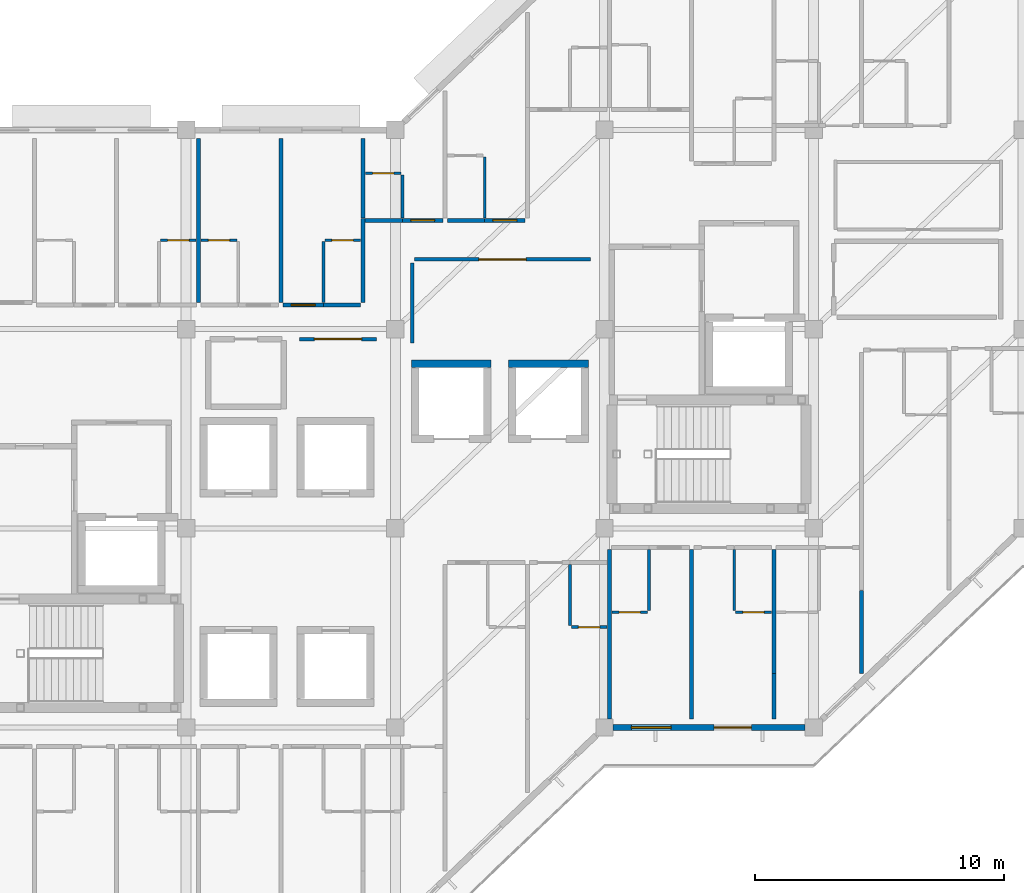
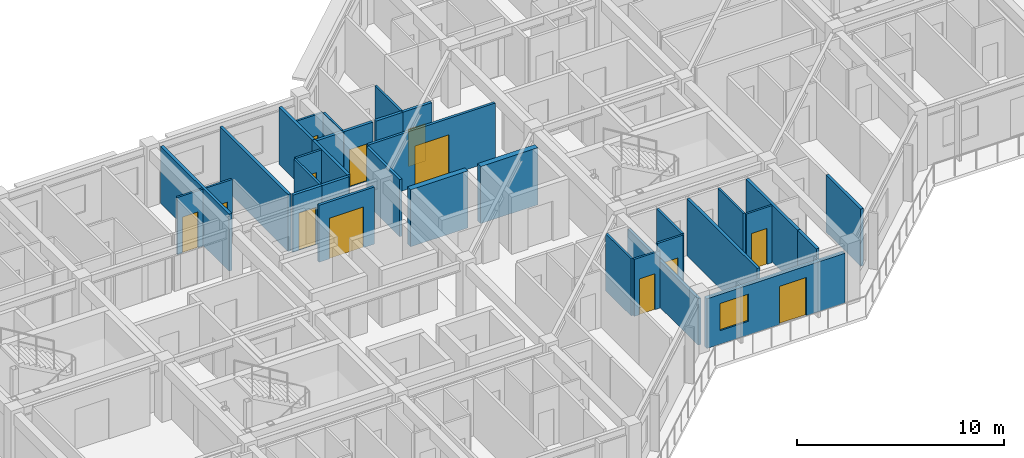
# One storey, part 8 of 16: 34 walls, 13 doors, 1 window, 14 openings.
"""IFC4 building model written with IfcOpenShell, lengths in metres."""

from ifc_helpers import new_model, si_unit, direction, frame, frame_2d, origin, place, context, subcontext, project, spatial, rectangle, extrude, material, layer, layer_set, type_object, element, fill, save


model = new_model("IFC4")

# Units and contexts
model_context = context("Model", 3, precision=1e-05, world=origin(), true_north=direction((0.0, 1.0)))
body_context = subcontext(model_context, "Body", "Model", "MODEL_VIEW")
ifc_project = project(units=[si_unit("LENGTHUNIT", "METRE"), si_unit("AREAUNIT", "SQUARE_METRE"), si_unit("VOLUMEUNIT", "CUBIC_METRE"), si_unit("PLANEANGLEUNIT", "RADIAN"), si_unit("MASSUNIT", "GRAM", prefix="KILO")], contexts=[model_context])

# Site, building, storey
site_placement = place(None, origin())
site = spatial("IfcSite", under=ifc_project, at=site_placement, CompositionType="ELEMENT")
building_placement = place(site_placement, origin())
building = spatial("IfcBuilding", under=site, at=building_placement, Name="Naruveol Harbour Congress Hotel", CompositionType="ELEMENT")
storey_placement = place(building_placement, frame((0.0, 0.0, 28.800048828125)))
storey = spatial("IfcBuildingStorey", under=building, at=storey_placement, Name="L06", CompositionType="ELEMENT", Elevation=28.800048828125)

# Wall, opening, door
ifc_material_1 = material(Name="Acoustic Double Stud Gypsum", Category="gypsum")
ifc_layer_1 = layer(ifc_material_1, 0.139892578125)
ifc_layer_set_1 = layer_set([ifc_layer_1], Name="Acoustic Double Stud Gypsum")
wall_type_1 = type_object("IfcWallType", Name="ACOUSTIC MEETING PARTITION WALL 140", PredefinedType="PARTITIONING", material=ifc_layer_set_1)
wall_1_placement = place(storey_placement, frame((138.9599609375, 23.60009765625, 0.0), z_axis=(0.0, 0.0, 1.0), x_axis=(1.0, 0.0, 0.0)))
wall_1 = element("IfcWall", 1, at=wall_1_placement, inside=storey, type_object=wall_type_1, Name="Wellness Reading Salon north entry wall PW-140", PredefinedType="PARTITIONING", context=body_context, shape_type="SweptSolid", body=[
    extrude(rectangle(XDim=3.080078125, YDim=0.139892578125, at=frame_2d((1.5400390625, 0.0))), origin(), (0.0, 0.0, 1.0), 3.364990234375),
])
opening_1_placement = place(wall_1_placement, frame((0.590087890625, 0.0, 0.0)))
opening_1 = element("IfcOpeningElement", 2, at=opening_1_placement, cuts=wall_1, Name="Opening ID-LG-108", PredefinedType="OPENING", context=body_context, shape_type="SweptSolid", body=[
    extrude(rectangle(XDim=1.89990234375, YDim=2.39990234375, at=frame_2d((0.949951171875, 1.199951171875))), frame((0.0, 0.079833984375, 0.0), z_axis=(0.0, -1.0, 0.0), x_axis=(1.0, 0.0, 0.0)), (0.0, 0.0, 1.0), 0.159912109375),
])
ifc_material_2 = material(Name="Timber & Steel Acoustic Leaf", Category="steel")
door_type_1 = type_object("IfcDoorType", Name="RESTAURANT AND LOUNGE GLAZED DOOR 1900X2400", OperationType="DOUBLE_DOOR_SINGLE_SWING", PredefinedType="DOOR", material=ifc_material_2)
door_1_placement = place(opening_1_placement, origin())
door_1 = element("IfcDoor", 3, at=door_1_placement, inside=storey, type_object=door_type_1, Name="Wellness Reading Salon Entrance Door", OperationType="DOUBLE_DOOR_SINGLE_SWING", OverallHeight=2.39990234375, OverallWidth=1.89990234375, PredefinedType="DOOR", context=body_context, shape_type="SweptSolid", body=[
    extrude(rectangle(XDim=1.89990234375, YDim=2.39990234375, at=frame_2d((0.949951171875, 1.199951171875))), frame((0.0, 0.02490234375, 0.0), z_axis=(0.0, -1.0, 0.0), x_axis=(1.0, 0.0, 0.0)), (0.0, 0.0, 1.0), 0.050048828125),
])
fill(opening_1, door_1)

wall_2_placement = place(storey_placement, frame((143.56005859375, 26.800048828125, 0.0), z_axis=(0.0, 0.0, 1.0), x_axis=(1.0, 0.0, 0.0)))
wall_2 = element("IfcWall", 4, at=wall_2_placement, inside=storey, type_object=wall_type_1, Name="Harbour Study Salon north entry wall PW-140", PredefinedType="PARTITIONING", context=body_context, shape_type="SweptSolid", body=[
    extrude(rectangle(XDim=7.079833984375, YDim=0.139892578125, at=frame_2d((3.5400390625, 0.0))), origin(), (0.0, 0.0, 1.0), 3.364990234375),
])
opening_2_placement = place(wall_2_placement, frame((2.590087890625, 0.0, 0.0)))
opening_2 = element("IfcOpeningElement", 5, at=opening_2_placement, cuts=wall_2, Name="Opening ID-LG-113", PredefinedType="OPENING", context=body_context, shape_type="SweptSolid", body=[
    extrude(rectangle(XDim=1.89990234375, YDim=2.39990234375, at=frame_2d((0.949951171875, 1.199951171875))), frame((0.0, 0.079833984375, 0.0), z_axis=(0.0, -1.0, 0.0), x_axis=(1.0, 0.0, 0.0)), (0.0, 0.0, 1.0), 0.159912109375),
])
door_2_placement = place(opening_2_placement, origin())
door_2 = element("IfcDoor", 6, at=door_2_placement, inside=storey, type_object=door_type_1, Name="Harbour Study Salon Entrance Door", OperationType="DOUBLE_DOOR_SINGLE_SWING", OverallHeight=2.39990234375, OverallWidth=1.89990234375, PredefinedType="DOOR", context=body_context, shape_type="SweptSolid", body=[
    extrude(rectangle(XDim=1.89990234375, YDim=2.39990234375, at=frame_2d((0.949951171875, 1.199951171875))), frame((0.0, 0.02490234375, 0.0), z_axis=(0.0, -1.0, 0.0), x_axis=(1.0, 0.0, 0.0)), (0.0, 0.0, 1.0), 0.050048828125),
])
fill(opening_2, door_2)

# Wall
wall_3_placement = place(storey_placement, frame((143.47998046875, 23.449951171875, 0.0), z_axis=(0.0, 0.0, 1.0), x_axis=(0.0, 1.0, 0.0)))
element("IfcWall", 7, at=wall_3_placement, inside=storey, type_object=wall_type_1, Name="Harbour Study Salon west partition PW-140", PredefinedType="PARTITIONING", context=body_context, shape_type="SweptSolid", body=[
    extrude(rectangle(XDim=3.2099609375, YDim=0.139892578125, at=frame_2d((1.60498046875, 0.0))), origin(), (0.0, 0.0, 1.0), 3.364990234375),
])

# Wall, opening, door
ifc_material_3 = material(Name="Moisture-Resistant Gypsum Partition", Category="gypsum")
ifc_layer_2 = layer(ifc_material_3, 0.114990234375)
ifc_layer_set_2 = layer_set([ifc_layer_2], Name="Moisture-Resistant Gypsum Partition")
wall_type_2 = type_object("IfcWallType", Name="BATHROOM MOISTURE PARTITION WALL 115", PredefinedType="PARTITIONING", material=ifc_layer_set_2)
wall_4_placement = place(storey_placement, frame((133.3701171875, 27.570068359375, 0.0), z_axis=(0.0, 0.0, 1.0), x_axis=(1.0, 0.0, 0.0)))
wall_4 = element("IfcWall", 8, at=wall_4_placement, inside=storey, type_object=wall_type_2, Name="Bathroom north wall 0774 PW-115", PredefinedType="PARTITIONING", context=body_context, shape_type="SweptSolid", body=[
    extrude(rectangle(XDim=1.429931640625, YDim=0.114990234375, at=frame_2d((0.71484375, 0.0))), origin(), (0.0, 0.0, 1.0), 3.364990234375),
])
opening_3_placement = place(wall_4_placement, frame((0.284912109375, 0.0, 0.0)))
opening_3 = element("IfcOpeningElement", 9, at=opening_3_placement, cuts=wall_4, Name="Opening BD-RM0774", PredefinedType="OPENING", context=body_context, shape_type="SweptSolid", body=[
    extrude(rectangle(XDim=0.860107421875, YDim=2.1201171875, at=frame_2d((0.43017578125, 1.06005859375))), frame((0.0, 0.0673828125, 0.0), z_axis=(0.0, -1.0, 0.0), x_axis=(1.0, 0.0, 0.0)), (0.0, 0.0, 1.0), 0.135009765625),
])
ifc_material_4 = material(Name="Timber & Steel Acoustic Leaf", Category="steel")
door_type_2 = type_object("IfcDoorType", Name="GUEST BATHROOM DOOR 860X2120", OperationType="NOTDEFINED", PredefinedType="DOOR", material=ifc_material_4)
door_3_placement = place(opening_3_placement, origin())
door_3 = element("IfcDoor", 10, at=door_3_placement, inside=storey, type_object=door_type_2, Name="Bathroom Door 0774", OperationType="SINGLE_SWING_RIGHT", OverallHeight=2.1201171875, OverallWidth=0.860107421875, PredefinedType="DOOR", context=body_context, shape_type="SweptSolid", body=[
    extrude(rectangle(XDim=0.860107421875, YDim=2.1201171875, at=frame_2d((0.43017578125, 1.06005859375))), frame((0.0, 0.02490234375, 0.0), z_axis=(0.0, -1.0, 0.0), x_axis=(1.0, 0.0, 0.0)), (0.0, 0.0, 1.0), 0.050048828125),
])
fill(opening_3, door_3)

wall_5_placement = place(storey_placement, frame((135.0, 27.570068359375, 0.0), z_axis=(0.0, 0.0, 1.0), x_axis=(1.0, 0.0, 0.0)))
wall_5 = element("IfcWall", 11, at=wall_5_placement, inside=storey, type_object=wall_type_2, Name="Bathroom north wall 0775 PW-115", PredefinedType="PARTITIONING", context=body_context, shape_type="SweptSolid", body=[
    extrude(rectangle(XDim=1.429931640625, YDim=0.114990234375, at=frame_2d((0.71484375, 0.0))), origin(), (0.0, 0.0, 1.0), 3.364990234375),
])
opening_4_placement = place(wall_5_placement, frame((0.284912109375, 0.0, 0.0)))
opening_4 = element("IfcOpeningElement", 12, at=opening_4_placement, cuts=wall_5, Name="Opening BD-RM0775", PredefinedType="OPENING", context=body_context, shape_type="SweptSolid", body=[
    extrude(rectangle(XDim=0.860107421875, YDim=2.1201171875, at=frame_2d((0.43017578125, 1.06005859375))), frame((0.0, 0.0673828125, 0.0), z_axis=(0.0, -1.0, 0.0), x_axis=(1.0, 0.0, 0.0)), (0.0, 0.0, 1.0), 0.135009765625),
])
door_4_placement = place(opening_4_placement, origin())
door_4 = element("IfcDoor", 13, at=door_4_placement, inside=storey, type_object=door_type_2, Name="Bathroom Door 0775", OperationType="SINGLE_SWING_RIGHT", OverallHeight=2.1201171875, OverallWidth=0.860107421875, PredefinedType="DOOR", context=body_context, shape_type="SweptSolid", body=[
    extrude(rectangle(XDim=0.860107421875, YDim=2.1201171875, at=frame_2d((0.43017578125, 1.06005859375))), frame((0.0, 0.02490234375, 0.0), z_axis=(0.0, -1.0, 0.0), x_axis=(1.0, 0.0, 0.0)), (0.0, 0.0, 1.0), 0.050048828125),
])
fill(opening_4, door_4)

# Wall
wall_6_placement = place(storey_placement, frame((139.909912109375, 25.06005859375, 0.0), z_axis=(0.0, 0.0, 1.0), x_axis=(0.0, 1.0, 0.0)))
element("IfcWall", 14, at=wall_6_placement, inside=storey, type_object=wall_type_2, Name="Bathroom west wall 0776 PW-115", PredefinedType="PARTITIONING", context=body_context, shape_type="SweptSolid", body=[
    extrude(rectangle(XDim=2.449951171875, YDim=0.114990234375, at=frame_2d((1.22509765625, 0.0))), origin(), (0.0, 0.0, 1.0), 3.364990234375),
])

# Wall, opening, door
wall_7_placement = place(storey_placement, frame((139.969970703125, 27.570068359375, 0.0), z_axis=(0.0, 0.0, 1.0), x_axis=(1.0, 0.0, 0.0)))
wall_7 = element("IfcWall", 15, at=wall_7_placement, inside=storey, type_object=wall_type_2, Name="Bathroom north wall 0776 PW-115", PredefinedType="PARTITIONING", context=body_context, shape_type="SweptSolid", body=[
    extrude(rectangle(XDim=1.429931640625, YDim=0.114990234375, at=frame_2d((0.71484375, 0.0))), origin(), (0.0, 0.0, 1.0), 3.364990234375),
])
opening_5_placement = place(wall_7_placement, frame((0.284912109375, 0.0, 0.0)))
opening_5 = element("IfcOpeningElement", 16, at=opening_5_placement, cuts=wall_7, Name="Opening BD-RM0776", PredefinedType="OPENING", context=body_context, shape_type="SweptSolid", body=[
    extrude(rectangle(XDim=0.860107421875, YDim=2.1201171875, at=frame_2d((0.43017578125, 1.06005859375))), frame((0.0, 0.0673828125, 0.0), z_axis=(0.0, -1.0, 0.0), x_axis=(1.0, 0.0, 0.0)), (0.0, 0.0, 1.0), 0.135009765625),
])
door_5_placement = place(opening_5_placement, origin())
door_5 = element("IfcDoor", 17, at=door_5_placement, inside=storey, type_object=door_type_2, Name="Bathroom Door 0776", OperationType="SINGLE_SWING_RIGHT", OverallHeight=2.1201171875, OverallWidth=0.860107421875, PredefinedType="DOOR", context=body_context, shape_type="SweptSolid", body=[
    extrude(rectangle(XDim=0.860107421875, YDim=2.1201171875, at=frame_2d((0.43017578125, 1.06005859375))), frame((0.0, 0.02490234375, 0.0), z_axis=(0.0, -1.0, 0.0), x_axis=(1.0, 0.0, 0.0)), (0.0, 0.0, 1.0), 0.050048828125),
])
fill(opening_5, door_5)

# Wall
wall_8_placement = place(storey_placement, frame((143.090087890625, 28.4599609375, 0.0), z_axis=(0.0, 0.0, 1.0), x_axis=(0.0, 1.0, 0.0)))
element("IfcWall", 18, at=wall_8_placement, inside=storey, type_object=wall_type_2, Name="Bathroom east wall 0777 PW-115", PredefinedType="PARTITIONING", context=body_context, shape_type="SweptSolid", body=[
    extrude(rectangle(XDim=1.739990234375, YDim=0.114990234375, at=frame_2d((0.8701171875, 0.0))), origin(), (0.0, 0.0, 1.0), 3.364990234375),
])

# Wall, opening, door
wall_9_placement = place(storey_placement, frame((141.60009765625, 30.260009765625, 0.0), z_axis=(0.0, 0.0, 1.0), x_axis=(1.0, 0.0, 0.0)))
wall_9 = element("IfcWall", 19, at=wall_9_placement, inside=storey, type_object=wall_type_2, Name="Bathroom north wall 0777 PW-115", PredefinedType="PARTITIONING", context=body_context, shape_type="SweptSolid", body=[
    extrude(rectangle(XDim=1.429931640625, YDim=0.114990234375, at=frame_2d((0.71484375, 0.0))), origin(), (0.0, 0.0, 1.0), 3.364990234375),
])
opening_6_placement = place(wall_9_placement, frame((0.284912109375, 0.0, 0.0)))
opening_6 = element("IfcOpeningElement", 20, at=opening_6_placement, cuts=wall_9, Name="Opening BD-RM0777", PredefinedType="OPENING", context=body_context, shape_type="SweptSolid", body=[
    extrude(rectangle(XDim=0.860107421875, YDim=2.1201171875, at=frame_2d((0.43017578125, 1.06005859375))), frame((0.0, 0.0673828125, 0.0), z_axis=(0.0, -1.0, 0.0), x_axis=(1.0, 0.0, 0.0)), (0.0, 0.0, 1.0), 0.135009765625),
])
door_6_placement = place(opening_6_placement, origin())
door_6 = element("IfcDoor", 21, at=door_6_placement, inside=storey, type_object=door_type_2, Name="Bathroom Door 0777", OperationType="SINGLE_SWING_RIGHT", OverallHeight=2.1201171875, OverallWidth=0.860107421875, PredefinedType="DOOR", context=body_context, shape_type="SweptSolid", body=[
    extrude(rectangle(XDim=0.860107421875, YDim=2.1201171875, at=frame_2d((0.43017578125, 1.06005859375))), frame((0.0, 0.02490234375, 0.0), z_axis=(0.0, -1.0, 0.0), x_axis=(1.0, 0.0, 0.0)), (0.0, 0.0, 1.0), 0.050048828125),
])
fill(opening_6, door_6)

# Walls
for number, where, z_axis, x_axis, name in (
    (22, (146.389892578125, 28.4599609375, 0.0), (0.0, 0.0, 1.0), (0.0, 1.0, 0.0), "Bathroom east wall 0778 PW-115"),
    (23, (149.81005859375, 12.090087890625, 0.0), (0.0, 0.0, 1.0), (0.0, 1.0, 0.0), "Bathroom west wall 0762 PW-115"),
):
    element("IfcWall", number, at=place(storey_placement, frame(where, z_axis=z_axis, x_axis=x_axis)), inside=storey, type_object=wall_type_2, Name=name, PredefinedType="PARTITIONING", context=body_context, shape_type="SweptSolid", body=[
        extrude(rectangle(XDim=2.449951171875, YDim=0.114990234375, at=frame_2d((1.22509765625, 0.0))), origin(), (0.0, 0.0, 1.0), 3.364990234375),
    ])

# Wall, opening, door
wall_10_placement = place(storey_placement, frame((149.8701171875, 12.030029296875, 0.0), z_axis=(0.0, 0.0, 1.0), x_axis=(1.0, 0.0, 0.0)))
wall_10 = element("IfcWall", 24, at=wall_10_placement, inside=storey, type_object=wall_type_2, Name="Bathroom south wall 0762 PW-115", PredefinedType="PARTITIONING", context=body_context, shape_type="SweptSolid", body=[
    extrude(rectangle(XDim=1.429931640625, YDim=0.114990234375, at=frame_2d((0.71484375, 0.0))), origin(), (0.0, 0.0, 1.0), 3.364990234375),
])
opening_7_placement = place(wall_10_placement, frame((0.284912109375, 0.0, 0.0)))
opening_7 = element("IfcOpeningElement", 25, at=opening_7_placement, cuts=wall_10, Name="Opening BD-RM0762", PredefinedType="OPENING", context=body_context, shape_type="SweptSolid", body=[
    extrude(rectangle(XDim=0.860107421875, YDim=2.1201171875, at=frame_2d((0.43017578125, 1.06005859375))), frame((0.0, 0.0673828125, 0.0), z_axis=(0.0, -1.0, 0.0), x_axis=(1.0, 0.0, 0.0)), (0.0, 0.0, 1.0), 0.135009765625),
])
door_7_placement = place(opening_7_placement, origin())
door_7 = element("IfcDoor", 26, at=door_7_placement, inside=storey, type_object=door_type_2, Name="Bathroom Door 0762", OperationType="SINGLE_SWING_RIGHT", OverallHeight=2.1201171875, OverallWidth=0.860107421875, PredefinedType="DOOR", context=body_context, shape_type="SweptSolid", body=[
    extrude(rectangle(XDim=0.860107421875, YDim=2.1201171875, at=frame_2d((0.43017578125, 1.06005859375))), frame((0.0, 0.02490234375, 0.0), z_axis=(0.0, -1.0, 0.0), x_axis=(1.0, 0.0, 0.0)), (0.0, 0.0, 1.0), 0.050048828125),
])
fill(opening_7, door_7)

# Wall
wall_11_placement = place(storey_placement, frame((152.989990234375, 12.68994140625, 0.0), z_axis=(0.0, 0.0, 1.0), x_axis=(0.0, 1.0, 0.0)))
element("IfcWall", 27, at=wall_11_placement, inside=storey, type_object=wall_type_2, Name="Bathroom east wall 0763 PW-115", PredefinedType="PARTITIONING", context=body_context, shape_type="SweptSolid", body=[
    extrude(rectangle(XDim=2.449951171875, YDim=0.114990234375, at=frame_2d((1.22509765625, 0.0))), origin(), (0.0, 0.0, 1.0), 3.364990234375),
])

# Wall, opening, door
wall_12_placement = place(storey_placement, frame((151.5, 12.6298828125, 0.0), z_axis=(0.0, 0.0, 1.0), x_axis=(1.0, 0.0, 0.0)))
wall_12 = element("IfcWall", 28, at=wall_12_placement, inside=storey, type_object=wall_type_2, Name="Bathroom south wall 0763 PW-115", PredefinedType="PARTITIONING", context=body_context, shape_type="SweptSolid", body=[
    extrude(rectangle(XDim=1.429931640625, YDim=0.114990234375, at=frame_2d((0.71484375, 0.0))), origin(), (0.0, 0.0, 1.0), 3.364990234375),
])
opening_8_placement = place(wall_12_placement, frame((0.284912109375, 0.0, 0.0)))
opening_8 = element("IfcOpeningElement", 29, at=opening_8_placement, cuts=wall_12, Name="Opening BD-RM0763", PredefinedType="OPENING", context=body_context, shape_type="SweptSolid", body=[
    extrude(rectangle(XDim=0.860107421875, YDim=2.1201171875, at=frame_2d((0.43017578125, 1.06005859375))), frame((0.0, 0.0673828125, 0.0), z_axis=(0.0, -1.0, 0.0), x_axis=(1.0, 0.0, 0.0)), (0.0, 0.0, 1.0), 0.135009765625),
])
door_8_placement = place(opening_8_placement, origin())
door_8 = element("IfcDoor", 30, at=door_8_placement, inside=storey, type_object=door_type_2, Name="Bathroom Door 0763", OperationType="SINGLE_SWING_RIGHT", OverallHeight=2.1201171875, OverallWidth=0.860107421875, PredefinedType="DOOR", context=body_context, shape_type="SweptSolid", body=[
    extrude(rectangle(XDim=0.860107421875, YDim=2.1201171875, at=frame_2d((0.43017578125, 1.06005859375))), frame((0.0, 0.02490234375, 0.0), z_axis=(0.0, -1.0, 0.0), x_axis=(1.0, 0.0, 0.0)), (0.0, 0.0, 1.0), 0.050048828125),
])
fill(opening_8, door_8)

# Wall
wall_13_placement = place(storey_placement, frame((156.409912109375, 12.68994140625, 0.0), z_axis=(0.0, 0.0, 1.0), x_axis=(0.0, 1.0, 0.0)))
element("IfcWall", 31, at=wall_13_placement, inside=storey, type_object=wall_type_2, Name="Bathroom west wall 0764 PW-115", PredefinedType="PARTITIONING", context=body_context, shape_type="SweptSolid", body=[
    extrude(rectangle(XDim=2.449951171875, YDim=0.114990234375, at=frame_2d((1.22509765625, 0.0))), origin(), (0.0, 0.0, 1.0), 3.364990234375),
])

# Wall, opening, door
wall_14_placement = place(storey_placement, frame((156.469970703125, 12.6298828125, 0.0), z_axis=(0.0, 0.0, 1.0), x_axis=(1.0, 0.0, 0.0)))
wall_14 = element("IfcWall", 32, at=wall_14_placement, inside=storey, type_object=wall_type_2, Name="Bathroom south wall 0764 PW-115", PredefinedType="PARTITIONING", context=body_context, shape_type="SweptSolid", body=[
    extrude(rectangle(XDim=1.429931640625, YDim=0.114990234375, at=frame_2d((0.71484375, 0.0))), origin(), (0.0, 0.0, 1.0), 3.364990234375),
])
opening_9_placement = place(wall_14_placement, frame((0.284912109375, 0.0, 0.0)))
opening_9 = element("IfcOpeningElement", 33, at=opening_9_placement, cuts=wall_14, Name="Opening BD-RM0764", PredefinedType="OPENING", context=body_context, shape_type="SweptSolid", body=[
    extrude(rectangle(XDim=0.860107421875, YDim=2.1201171875, at=frame_2d((0.43017578125, 1.06005859375))), frame((0.0, 0.0673828125, 0.0), z_axis=(0.0, -1.0, 0.0), x_axis=(1.0, 0.0, 0.0)), (0.0, 0.0, 1.0), 0.135009765625),
])
door_9_placement = place(opening_9_placement, origin())
door_9 = element("IfcDoor", 34, at=door_9_placement, inside=storey, type_object=door_type_2, Name="Bathroom Door 0764", OperationType="SINGLE_SWING_RIGHT", OverallHeight=2.1201171875, OverallWidth=0.860107421875, PredefinedType="DOOR", context=body_context, shape_type="SweptSolid", body=[
    extrude(rectangle(XDim=0.860107421875, YDim=2.1201171875, at=frame_2d((0.43017578125, 1.06005859375))), frame((0.0, 0.02490234375, 0.0), z_axis=(0.0, -1.0, 0.0), x_axis=(1.0, 0.0, 0.0)), (0.0, 0.0, 1.0), 0.050048828125),
])
fill(opening_9, door_9)

# Wall
ifc_material_5 = material(Name="Autoclaved Aerated Concrete Block", Category="concrete")
ifc_layer_3 = layer(ifc_material_5, 0.159912109375)
ifc_layer_set_3 = layer_set([ifc_layer_3], Name="Autoclaved Aerated Concrete Block")
wall_type_3 = type_object("IfcWallType", Name="HOTEL PARTY AND CORRIDOR WALL 160 EI60", PredefinedType="PARTITIONING", material=ifc_layer_set_3)
wall_15_placement = place(storey_placement, frame((134.89990234375, 25.06005859375, 0.0), z_axis=(0.0, 0.0, 1.0), x_axis=(0.0, 1.0, 0.0)))
element("IfcWall", 35, at=wall_15_placement, inside=storey, type_object=wall_type_3, Name="Hotel party wall 0775 PW-160", PredefinedType="PARTITIONING", context=body_context, shape_type="SweptSolid", body=[
    extrude(rectangle(XDim=6.599853515625, YDim=0.159912109375, at=frame_2d((3.2998046875, 0.0))), origin(), (0.0, 0.0, 1.0), 3.364990234375),
])

# Wall, opening, door
wall_16_placement = place(storey_placement, frame((138.2900390625, 24.969970703125, 0.0), z_axis=(0.0, 0.0, 1.0), x_axis=(1.0, 0.0, 0.0)))
wall_16 = element("IfcWall", 36, at=wall_16_placement, inside=storey, type_object=wall_type_3, Name="Corridor entry wall 0776 PW-160", PredefinedType="PARTITIONING", context=body_context, shape_type="SweptSolid", body=[
    extrude(rectangle(XDim=1.619873046875, YDim=0.159912109375, at=frame_2d((0.81005859375, 0.0))), origin(), (0.0, 0.0, 1.0), 3.364990234375),
])
opening_10_placement = place(wall_16_placement, frame((0.330078125, 0.0, 0.0)))
opening_10 = element("IfcOpeningElement", 37, at=opening_10_placement, cuts=wall_16, Name="Opening FD-RM0776", PredefinedType="OPENING", context=body_context, shape_type="SweptSolid", body=[
    extrude(rectangle(XDim=0.9599609375, YDim=2.199951171875, at=frame_2d((0.47998046875, 1.10009765625))), frame((0.0, 0.08984375, 0.0), z_axis=(0.0, -1.0, 0.0), x_axis=(1.0, 0.0, 0.0)), (0.0, 0.0, 1.0), 0.179931640625),
])
ifc_material_6 = material(Name="Timber & Steel Acoustic Leaf", Category="steel")
door_type_3 = type_object("IfcDoorType", Name="GUEST ROOM ENTRANCE FIRE DOOR 960X2200", OperationType="NOTDEFINED", PredefinedType="DOOR", material=ifc_material_6)
door_10_placement = place(opening_10_placement, origin())
door_10 = element("IfcDoor", 38, at=door_10_placement, inside=storey, type_object=door_type_3, Name="Hotel Room Door 0776", OperationType="SINGLE_SWING_LEFT", OverallHeight=2.199951171875, OverallWidth=0.9599609375, PredefinedType="DOOR", context=body_context, shape_type="SweptSolid", body=[
    extrude(rectangle(XDim=0.9599609375, YDim=2.199951171875, at=frame_2d((0.47998046875, 1.10009765625))), frame((0.0, 0.02490234375, 0.0), z_axis=(0.0, -1.0, 0.0), x_axis=(1.0, 0.0, 0.0)), (0.0, 0.0, 1.0), 0.050048828125),
])
fill(opening_10, door_10)

# Walls
wall_17_placement = place(storey_placement, frame((139.919921875, 24.969970703125, 0.0), z_axis=(0.0, 0.0, 1.0), x_axis=(1.0, 0.0, 0.0)))
element("IfcWall", 39, at=wall_17_placement, inside=storey, type_object=wall_type_3, Name="Corridor wall 0776B PW-160", PredefinedType="PARTITIONING", context=body_context, shape_type="SweptSolid", body=[
    extrude(rectangle(XDim=1.489990234375, YDim=0.159912109375, at=frame_2d((0.7451171875, 0.0))), origin(), (0.0, 0.0, 1.0), 3.364990234375),
])
wall_18_placement = place(storey_placement, frame((138.199951171875, 25.06005859375, 0.0), z_axis=(0.0, 0.0, 1.0), x_axis=(0.0, 1.0, 0.0)))
element("IfcWall", 40, at=wall_18_placement, inside=storey, type_object=wall_type_3, Name="Hotel party wall 0776 PW-160", PredefinedType="PARTITIONING", context=body_context, shape_type="SweptSolid", body=[
    extrude(rectangle(XDim=6.599853515625, YDim=0.159912109375, at=frame_2d((3.2998046875, 0.0))), origin(), (0.0, 0.0, 1.0), 3.364990234375),
])
wall_19_placement = place(storey_placement, frame((141.5, 25.06005859375, 0.0), z_axis=(0.0, 0.0, 1.0), x_axis=(0.0, 1.0, 0.0)))
element("IfcWall", 41, at=wall_19_placement, inside=storey, type_object=wall_type_3, Name="Hotel end party wall 0776 PW-160", PredefinedType="PARTITIONING", context=body_context, shape_type="SweptSolid", body=[
    extrude(rectangle(XDim=3.389892578125, YDim=0.159912109375, at=frame_2d((1.69482421875, 0.0))), origin(), (0.0, 0.0, 1.0), 3.364990234375),
])
wall_20_placement = place(storey_placement, frame((141.590087890625, 28.3701171875, 0.0), z_axis=(0.0, 0.0, 1.0), x_axis=(1.0, 0.0, 0.0)))
element("IfcWall", 42, at=wall_20_placement, inside=storey, type_object=wall_type_3, Name="Corridor wall 0777B PW-160", PredefinedType="PARTITIONING", context=body_context, shape_type="SweptSolid", body=[
    extrude(rectangle(XDim=1.489990234375, YDim=0.159912109375, at=frame_2d((0.7451171875, 0.0))), origin(), (0.0, 0.0, 1.0), 3.364990234375),
])

# Wall, opening, door
wall_21_placement = place(storey_placement, frame((143.090087890625, 28.3701171875, 0.0), z_axis=(0.0, 0.0, 1.0), x_axis=(1.0, 0.0, 0.0)))
wall_21 = element("IfcWall", 43, at=wall_21_placement, inside=storey, type_object=wall_type_3, Name="Corridor entry wall 0777 PW-160", PredefinedType="PARTITIONING", context=body_context, shape_type="SweptSolid", body=[
    extrude(rectangle(XDim=1.619873046875, YDim=0.159912109375, at=frame_2d((0.81005859375, 0.0))), origin(), (0.0, 0.0, 1.0), 3.364990234375),
])
opening_11_placement = place(wall_21_placement, frame((0.330078125, 0.0, 0.0)))
opening_11 = element("IfcOpeningElement", 44, at=opening_11_placement, cuts=wall_21, Name="Opening FD-RM0777", PredefinedType="OPENING", context=body_context, shape_type="SweptSolid", body=[
    extrude(rectangle(XDim=0.9599609375, YDim=2.199951171875, at=frame_2d((0.47998046875, 1.10009765625))), frame((0.0, 0.08984375, 0.0), z_axis=(0.0, -1.0, 0.0), x_axis=(1.0, 0.0, 0.0)), (0.0, 0.0, 1.0), 0.179931640625),
])
door_11_placement = place(opening_11_placement, origin())
door_11 = element("IfcDoor", 45, at=door_11_placement, inside=storey, type_object=door_type_3, Name="Hotel Room Door 0777", OperationType="SINGLE_SWING_LEFT", OverallHeight=2.199951171875, OverallWidth=0.9599609375, PredefinedType="DOOR", context=body_context, shape_type="SweptSolid", body=[
    extrude(rectangle(XDim=0.9599609375, YDim=2.199951171875, at=frame_2d((0.47998046875, 1.10009765625))), frame((0.0, 0.02490234375, 0.0), z_axis=(0.0, -1.0, 0.0), x_axis=(1.0, 0.0, 0.0)), (0.0, 0.0, 1.0), 0.050048828125),
])
fill(opening_11, door_11)

# Walls
wall_22_placement = place(storey_placement, frame((141.5, 28.4599609375, 0.0), z_axis=(0.0, 0.0, 1.0), x_axis=(0.0, 1.0, 0.0)))
element("IfcWall", 46, at=wall_22_placement, inside=storey, type_object=wall_type_3, Name="Hotel party wall 0777 PW-160", PredefinedType="PARTITIONING", context=body_context, shape_type="SweptSolid", body=[
    extrude(rectangle(XDim=3.199951171875, YDim=0.159912109375, at=frame_2d((1.60009765625, 0.0))), origin(), (0.0, 0.0, 1.0), 3.364990234375),
])
wall_23_placement = place(storey_placement, frame((144.889892578125, 28.3701171875, 0.0), z_axis=(0.0, 0.0, 1.0), x_axis=(1.0, 0.0, 0.0)))
element("IfcWall", 47, at=wall_23_placement, inside=storey, type_object=wall_type_3, Name="Corridor wall 0778B PW-160", PredefinedType="PARTITIONING", context=body_context, shape_type="SweptSolid", body=[
    extrude(rectangle(XDim=1.489990234375, YDim=0.159912109375, at=frame_2d((0.7451171875, 0.0))), origin(), (0.0, 0.0, 1.0), 3.364990234375),
])

# Wall, opening, door
wall_24_placement = place(storey_placement, frame((146.389892578125, 28.3701171875, 0.0), z_axis=(0.0, 0.0, 1.0), x_axis=(1.0, 0.0, 0.0)))
wall_24 = element("IfcWall", 48, at=wall_24_placement, inside=storey, type_object=wall_type_3, Name="Corridor entry wall 0778 PW-160", PredefinedType="PARTITIONING", context=body_context, shape_type="SweptSolid", body=[
    extrude(rectangle(XDim=1.6201171875, YDim=0.159912109375, at=frame_2d((0.81005859375, 0.0))), origin(), (0.0, 0.0, 1.0), 3.364990234375),
])
opening_12_placement = place(wall_24_placement, frame((0.330078125, 0.0, 0.0)))
opening_12 = element("IfcOpeningElement", 49, at=opening_12_placement, cuts=wall_24, Name="Opening FD-RM0778", PredefinedType="OPENING", context=body_context, shape_type="SweptSolid", body=[
    extrude(rectangle(XDim=0.9599609375, YDim=2.199951171875, at=frame_2d((0.47998046875, 1.10009765625))), frame((0.0, 0.08984375, 0.0), z_axis=(0.0, -1.0, 0.0), x_axis=(1.0, 0.0, 0.0)), (0.0, 0.0, 1.0), 0.179931640625),
])
door_12_placement = place(opening_12_placement, origin())
door_12 = element("IfcDoor", 50, at=door_12_placement, inside=storey, type_object=door_type_3, Name="Hotel Room Door 0778", OperationType="SINGLE_SWING_LEFT", OverallHeight=2.199951171875, OverallWidth=0.9599609375, PredefinedType="DOOR", context=body_context, shape_type="SweptSolid", body=[
    extrude(rectangle(XDim=0.9599609375, YDim=2.199951171875, at=frame_2d((0.47998046875, 1.10009765625))), frame((0.0, 0.02490234375, 0.0), z_axis=(0.0, -1.0, 0.0), x_axis=(1.0, 0.0, 0.0)), (0.0, 0.0, 1.0), 0.050048828125),
])
fill(opening_12, door_12)

# Walls
wall_25_placement = place(storey_placement, frame((151.39990234375, 8.340087890625, 0.0), z_axis=(0.0, 0.0, 1.0), x_axis=(0.0, 1.0, 0.0)))
element("IfcWall", 51, at=wall_25_placement, inside=storey, type_object=wall_type_3, Name="Hotel party wall 0763 PW-160", PredefinedType="PARTITIONING", context=body_context, shape_type="SweptSolid", body=[
    extrude(rectangle(XDim=6.7998046875, YDim=0.159912109375, at=frame_2d((3.39990234375, 0.0))), origin(), (0.0, 0.0, 1.0), 2.72998046875),
])
wall_26_placement = place(storey_placement, frame((154.699951171875, 8.340087890625, 0.0), z_axis=(0.0, 0.0, 1.0), x_axis=(0.0, 1.0, 0.0)))
element("IfcWall", 52, at=wall_26_placement, inside=storey, type_object=wall_type_3, Name="Hotel party wall 0764 PW-160", PredefinedType="PARTITIONING", context=body_context, shape_type="SweptSolid", body=[
    extrude(rectangle(XDim=6.7998046875, YDim=0.159912109375, at=frame_2d((3.39990234375, 0.0))), origin(), (0.0, 0.0, 1.0), 3.364990234375),
])
wall_27_placement = place(storey_placement, frame((158.0, 8.340087890625, 0.0), z_axis=(0.0, 0.0, 1.0), x_axis=(0.0, 1.0, 0.0)))
element("IfcWall", 53, at=wall_27_placement, inside=storey, type_object=wall_type_3, Name="Hotel end party wall 0764 PW-160", PredefinedType="PARTITIONING", context=body_context, shape_type="SweptSolid", body=[
    extrude(rectangle(XDim=1.81982421875, YDim=0.159912109375, at=frame_2d((0.909912109375, 0.0))), origin(), (0.0, 0.0, 1.0), 3.364990234375),
])
wall_28_placement = place(storey_placement, frame((158.0, 10.169921875, 0.0), z_axis=(0.0, 0.0, 1.0), x_axis=(0.0, 1.0, 0.0)))
element("IfcWall", 54, at=wall_28_placement, inside=storey, type_object=wall_type_3, Name="Hotel party wall 0765 PW-160", PredefinedType="PARTITIONING", context=body_context, shape_type="SweptSolid", body=[
    extrude(rectangle(XDim=4.969970703125, YDim=0.159912109375, at=frame_2d((2.48486328125, 0.0))), origin(), (0.0, 0.0, 1.0), 3.364990234375),
])
wall_29_placement = place(storey_placement, frame((161.52001953125, 10.169921875, 0.0), z_axis=(0.0, 0.0, 1.0), x_axis=(0.0, 1.0, 0.0)))
element("IfcWall", 55, at=wall_29_placement, inside=storey, type_object=wall_type_3, Name="Hotel end party wall 0765 PW-160", PredefinedType="PARTITIONING", context=body_context, shape_type="SweptSolid", body=[
    extrude(rectangle(XDim=3.340087890625, YDim=0.159912109375, at=frame_2d((1.669921875, 0.0))), origin(), (0.0, 0.0, 1.0), 3.364990234375),
])

# Wall, openings, window, door
ifc_material_7 = material(Name="Concrete C40/50", Category="concrete")
ifc_layer_4 = layer(ifc_material_7, 0.239990234375)
ifc_layer_set_4 = layer_set([ifc_layer_4], Name="Concrete C40/50")
wall_type_4 = type_object("IfcWallType", Name="INSULATED HOTEL SPANDREL WALL 240", PredefinedType="SOLIDWALL", material=ifc_layer_set_4)
wall_30_placement = place(storey_placement, frame((159.25, 8.0, 0.0), z_axis=(0.0, 0.0, 1.0), x_axis=(-1.0, 0.0, 0.0)))
wall_30 = element("IfcWall", 56, at=wall_30_placement, inside=storey, type_object=wall_type_4, Name="Hotel south waterfront wall L06 EW-240", PredefinedType="SOLIDWALL", context=body_context, shape_type="SweptSolid", body=[
    extrude(rectangle(XDim=7.699951171875, YDim=0.239990234375, at=frame_2d((3.85009765625, 0.0))), origin(), (0.0, 0.0, 1.0), 2.929931640625),
])
opening_13_placement = place(wall_30_placement, frame((2.14990234375, 0.0, 0.0)))
opening_13 = element("IfcOpeningElement", 57, at=opening_13_placement, cuts=wall_30, Name="Opening BD-150-050", PredefinedType="OPENING", context=body_context, shape_type="SweptSolid", body=[
    extrude(rectangle(XDim=1.5, YDim=2.25, at=frame_2d((0.75, 1.125))), frame((0.0, 0.1298828125, 0.0), z_axis=(0.0, -1.0, 0.0), x_axis=(1.0, 0.0, 0.0)), (0.0, 0.0, 1.0), 0.260009765625),
])
opening_14_placement = place(wall_30_placement, frame((5.375, 0.0, 0.800048828125)))
opening_14 = element("IfcOpeningElement", 58, at=opening_14_placement, cuts=wall_30, Name="Opening W-03", PredefinedType="OPENING", context=body_context, shape_type="SweptSolid", body=[
    extrude(rectangle(XDim=1.60009765625, YDim=1.60009765625, at=frame_2d((0.800048828125, 0.800048828125))), frame((0.0, 0.1298828125, 0.0), z_axis=(0.0, -1.0, 0.0), x_axis=(1.0, 0.0, 0.0)), (0.0, 0.0, 1.0), 0.260009765625),
])
ifc_material_8 = material(Name="Low-E Triple Glazing in Thermal Aluminium", Category="aluminium")
window_type = type_object("IfcWindowType", Name="DELUXE GUEST WINDOW 1600X1600", PartitioningType="SINGLE_PANEL", PredefinedType="WINDOW", material=ifc_material_8)
window_placement = place(opening_14_placement, origin())
window = element("IfcWindow", 59, at=window_placement, inside=storey, type_object=window_type, Name="Window W-03 #362", OverallHeight=1.60009765625, OverallWidth=1.60009765625, PartitioningType="SINGLE_PANEL", PredefinedType="WINDOW", context=body_context, shape_type="SweptSolid", body=[
    extrude(rectangle(XDim=1.60009765625, YDim=1.60009765625, at=frame_2d((0.800048828125, 0.800048828125))), frame((0.0, 0.030029296875, 0.0), z_axis=(0.0, -1.0, 0.0), x_axis=(1.0, 0.0, 0.0)), (0.0, 0.0, 1.0), 0.06005859375),
])
fill(opening_14, window)
ifc_material_9 = material(Name="Powder-Coated Steel & Insulated Glazing", Category="steel")
door_type_4 = type_object("IfcDoorType", Name="SUITE BALCONY SLIDING DOOR 1500X2250", OperationType="SLIDING_TO_LEFT", PredefinedType="DOOR", material=ifc_material_9)
door_13_placement = place(opening_13_placement, origin())
door_13 = element("IfcDoor", 60, at=door_13_placement, inside=storey, type_object=door_type_4, Name="Exterior door BD-150-050", OperationType="SLIDING_TO_LEFT", OverallHeight=2.25, OverallWidth=1.5, PredefinedType="DOOR", context=body_context, shape_type="SweptSolid", body=[
    extrude(rectangle(XDim=1.5, YDim=2.25, at=frame_2d((0.75, 1.125))), frame((0.0, 0.02490234375, 0.0), z_axis=(0.0, -1.0, 0.0), x_axis=(1.0, 0.0, 0.0)), (0.0, 0.0, 1.0), 0.050048828125),
])
fill(opening_13, door_13)

# Walls
ifc_material_10 = material(Name="Concrete C50/60", Category="concrete")
ifc_layer_5 = layer(ifc_material_10, 0.300048828125)
ifc_layer_set_5 = layer_set([ifc_layer_5], Name="Concrete C50/60")
wall_type_5 = type_object("IfcWallType", Name="RC STAIR AND HOISTWAY SHEAR WALL 300 EI120", PredefinedType="SHEAR", material=ifc_layer_set_5)
for number, where, z_axis, x_axis, name in (
    (61, (146.64990234375, 22.60009765625, 0.0), (0.0, 0.0, 1.0), (-1.0, 0.0, 0.0), "Hoistway north shear wall GL1 SW-300"),
    (62, (150.550048828125, 22.60009765625, 0.0), (0.0, 0.0, 1.0), (-1.0, 0.0, 0.0), "Hoistway north shear wall GL2 SW-300"),
):
    element("IfcWall", number, at=place(storey_placement, frame(where, z_axis=z_axis, x_axis=x_axis)), inside=storey, type_object=wall_type_5, Name=name, PredefinedType="SHEAR", context=body_context, shape_type="SweptSolid", body=[
        extrude(rectangle(XDim=3.199951171875, YDim=0.300048828125, at=frame_2d((1.60009765625, 0.0))), origin(), (0.0, 0.0, 1.0), 3.364990234375),
    ])

save(model, "model.ifc")
